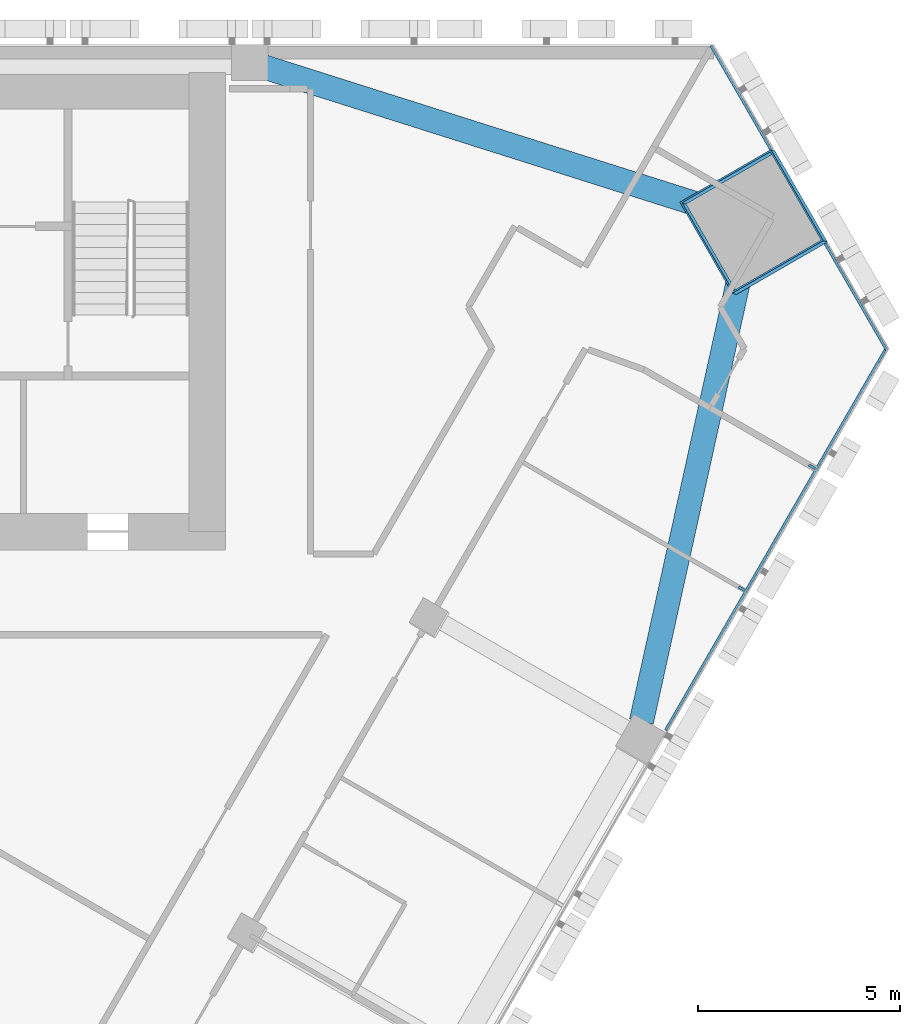
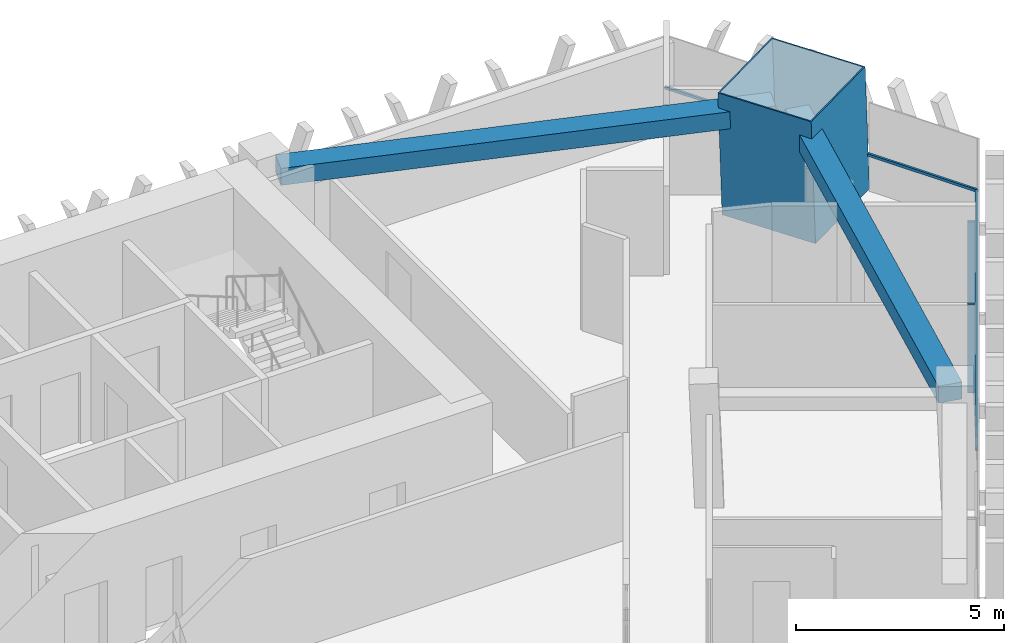
# One storey, part 7 of 16: 6 members, 2 beams, 2 elements without a shape of their own.
"""IFC4 building model written with IfcOpenShell, lengths in metres."""

from ifc_helpers import new_model, si_unit, direction, frame, origin, origin_2d, place, context, subcontext, project, spatial, rectangle, hollow_rectangle, extrude, material, layer, layer_set, material_profile, profile_set, type_object, element, aggregate, save


model = new_model("IFC4")

# Units and contexts
model_context = context("Model", 3, precision=1e-05, world=origin(), true_north=direction((0.0, 1.0)))
body_context = subcontext(model_context, "Body", "Model", "MODEL_VIEW")
ifc_project = project(units=[si_unit("LENGTHUNIT", "METRE"), si_unit("AREAUNIT", "SQUARE_METRE"), si_unit("VOLUMEUNIT", "CUBIC_METRE"), si_unit("PLANEANGLEUNIT", "RADIAN"), si_unit("MASSUNIT", "GRAM", prefix="KILO")], contexts=[model_context])

# Site, building, storey
site_placement = place(None, origin())
site = spatial("IfcSite", under=ifc_project, at=site_placement, CompositionType="ELEMENT")
building_placement = place(site_placement, origin())
building = spatial("IfcBuilding", under=site, at=building_placement, Name="Altiplano Prism Tower", CompositionType="ELEMENT")
storey_placement = place(building_placement, frame((0.0, 0.0, 88.199951171875)))
storey = spatial("IfcBuildingStorey", under=building, at=storey_placement, Name="L22", CompositionType="ELEMENT", Elevation=88.199951171875)

# Curtain wall, members
ifc_material_1 = material(Name="Aluminium and glass", Category="aluminium")
ifc_layer = layer(ifc_material_1, 0.280029296875)
ifc_layer_set = layer_set([ifc_layer], Name="Aluminium and glass")
curtain_wall_type = type_object("IfcCurtainWallType", Name="CW1 typical co-living unitised curtain wall", PredefinedType="NOTDEFINED", material=ifc_layer_set)
curtain_wall_1_placement = place(storey_placement, origin())
curtain_wall_1 = element("IfcCurtainWall", 1, at=curtain_wall_1_placement, inside=storey, type_object=curtain_wall_type, Name="CW1 curtain wall south-east face L22", PredefinedType="NOTDEFINED")
ifc_material_2 = material(Name="Aluminium", Category="aluminium")
ifc_material_profile_1 = material_profile(ifc_material_2, rectangle(XDim=0.179931640625, YDim=0.06494140625, at=origin_2d()), Name="CW1 mullion 65 x 180")
ifc_profile_set_1 = profile_set([ifc_material_profile_1], Name="Aluminium")
member_type_1 = type_object("IfcMemberType", Name="CW1 mullion 65 x 180", PredefinedType="MULLION", material=ifc_profile_set_1)
member_1_placement = place(storey_placement, frame((110.662109375, 91.538818359375, 0.0), z_axis=(0.0, 0.0, 1.0), x_axis=(-0.866025398243, 0.500000009598, 0.0)))
member_1 = element("IfcMember", 2, at=member_1_placement, type_object=member_type_1, Name="CW1 mullion", PredefinedType="MULLION", context=body_context, shape_type="SweptSolid", body=[
    extrude(rectangle(XDim=0.179931640625, YDim=0.06494140625, at=origin_2d()), origin(), (0.0, 0.0, 1.0), 2.60009765625),
])
member_2_placement = place(storey_placement, frame((112.402587890625, 94.55322265625, 0.0), z_axis=(0.0, 0.0, 1.0), x_axis=(-0.866025398243, 0.500000009598, 0.0)))
member_2 = element("IfcMember", 3, at=member_2_placement, type_object=member_type_1, Name="CW1 mullion", PredefinedType="MULLION", context=body_context, shape_type="SweptSolid", body=[
    extrude(rectangle(XDim=0.179931640625, YDim=0.06494140625, at=origin_2d()), origin(), (0.0, 0.0, 1.0), 2.60009765625),
])
ifc_material_profile_2 = material_profile(ifc_material_2, rectangle(XDim=0.06005859375, YDim=0.080078125, at=origin_2d()), Name="CW1 transom 80 x 60")
ifc_profile_set_2 = profile_set([ifc_material_profile_2], Name="Aluminium")
member_type_2 = type_object("IfcMemberType", Name="CW1 transom 80 x 60", PredefinedType="USERDEFINED", material=ifc_profile_set_2)
member_3_placement = place(storey_placement, frame((108.78076171875, 88.0400390625, 1.10009765625), z_axis=(0.500005971936, 0.866021955858, 0.0), x_axis=(-0.866021955858, 0.500005971936, 0.0)))
member_3 = element("IfcMember", 4, at=member_3_placement, type_object=member_type_2, Name="CW1 transom", ObjectType="TRANSOM", PredefinedType="USERDEFINED", context=body_context, shape_type="SweptSolid", body=[
    extrude(rectangle(XDim=0.06005859375, YDim=0.080078125, at=origin_2d()), origin(), (0.0, 0.0, 1.0), 10.932373046875),
])
aggregate(curtain_wall_1, [member_1, member_2, member_3])

curtain_wall_2_placement = place(storey_placement, origin())
curtain_wall_2 = element("IfcCurtainWall", 5, at=curtain_wall_2_placement, inside=storey, type_object=curtain_wall_type, Name="CW1 curtain wall north-east chamfer L22", PredefinedType="NOTDEFINED")
member_4_placement = place(storey_placement, frame((114.2470703125, 97.43798828125, 1.10009765625), z_axis=(-0.500018497585, 0.866014723935, 0.0), x_axis=(-0.866014723935, -0.500018497585, 0.0)))
member_4 = element("IfcMember", 6, at=member_4_placement, type_object=member_type_2, Name="CW1 transom", ObjectType="TRANSOM", PredefinedType="USERDEFINED", context=body_context, shape_type="SweptSolid", body=[
    extrude(rectangle(XDim=0.06005859375, YDim=0.080078125, at=origin_2d()), origin(), (0.0, 0.0, 1.0), 3.0458984375),
])
member_5_placement = place(storey_placement, frame((111.38427734375, 102.396484375, 1.10009765625), z_axis=(-0.49998134429, 0.866036174396, 0.0), x_axis=(-0.866036174396, -0.49998134429, 0.0)))
member_5 = element("IfcMember", 7, at=member_5_placement, type_object=member_type_2, Name="CW1 transom", ObjectType="TRANSOM", PredefinedType="USERDEFINED", context=body_context, shape_type="SweptSolid", body=[
    extrude(rectangle(XDim=0.06005859375, YDim=0.080078125, at=origin_2d()), origin(), (0.0, 0.0, 1.0), 2.9658203125),
])
aggregate(curtain_wall_2, [member_4, member_5])

# Beams
ifc_material_3 = material(Name="Concrete C60/75", Category="concrete")
ifc_material_profile_3 = material_profile(ifc_material_3, rectangle(XDim=0.60009765625, YDim=0.5, at=origin_2d()), Name="Edge beam 600x500")
ifc_profile_set_3 = profile_set([ifc_material_profile_3], Name="Concrete C60/75")
beam_type = type_object("IfcBeamType", Name="Edge beam 600x500", PredefinedType="SPANDREL", material=ifc_profile_set_3)
beam_1_placement = place(storey_placement, frame((108.182861328125, 88.25390625, 2.85009765625), z_axis=(0.215105468969, 0.976590823846, 0.0), x_axis=(-0.976590823846, 0.215105468969, 0.0)))
element("IfcBeam", 8, at=beam_1_placement, inside=storey, type_object=beam_type, Name="Edge beam P24-M2 L23", PredefinedType="SPANDREL", context=body_context, shape_type="SweptSolid", body=[
    extrude(rectangle(XDim=0.60009765625, YDim=0.5, at=origin_2d()), origin(), (0.0, 0.0, 1.0), 12.21240234375),
])
beam_2_placement = place(storey_placement, frame((110.477783203125, 100.755615234375, 2.85009765625), z_axis=(-0.953310958722, 0.301990423656, 0.0), x_axis=(-0.301990423656, -0.953310958722, 0.0)))
element("IfcBeam", 9, at=beam_2_placement, inside=storey, type_object=beam_type, Name="Edge beam M2-P01 L23", PredefinedType="SPANDREL", context=body_context, shape_type="SweptSolid", body=[
    extrude(rectangle(XDim=0.60009765625, YDim=0.5, at=origin_2d()), origin(), (0.0, 0.0, 1.0), 12.212158203125),
])

# Member
ifc_material_4 = material(Name="Steel S460", Category="steel")
ifc_material_profile_4 = material_profile(ifc_material_4, hollow_rectangle(XDim=2.60009765625, YDim=2.60009765625, WallThickness=0.0400390625, at=origin_2d()), Name="Mega column tube 2600")
ifc_profile_set_4 = profile_set([ifc_material_profile_4], Name="Steel S460")
member_type_3 = type_object("IfcMemberType", Name="Mega column tube 2600", PredefinedType="POST", material=ifc_profile_set_4)
member_6_placement = place(storey_placement, frame((111.009033203125, 100.58642578125, 0.0), z_axis=(-0.028401796786, 0.009286506348, 0.999553449666), x_axis=(0.498886368713, -0.866382390598, 0.022224859352)))
element("IfcMember", 10, at=member_6_placement, inside=storey, type_object=member_type_3, Name="Mega column tube M2 L22", PredefinedType="POST", context=body_context, shape_type="SweptSolid", body=[
    extrude(hollow_rectangle(XDim=2.60009765625, YDim=2.60009765625, WallThickness=0.0400390625, at=origin_2d()), origin(), (0.0, 0.0, 1.0), 3.601806640625),
])

save(model, "model.ifc")
